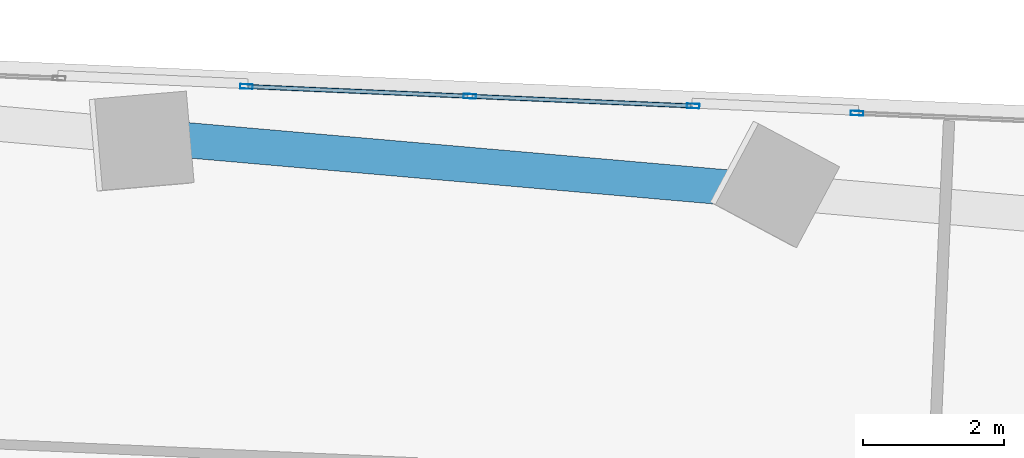
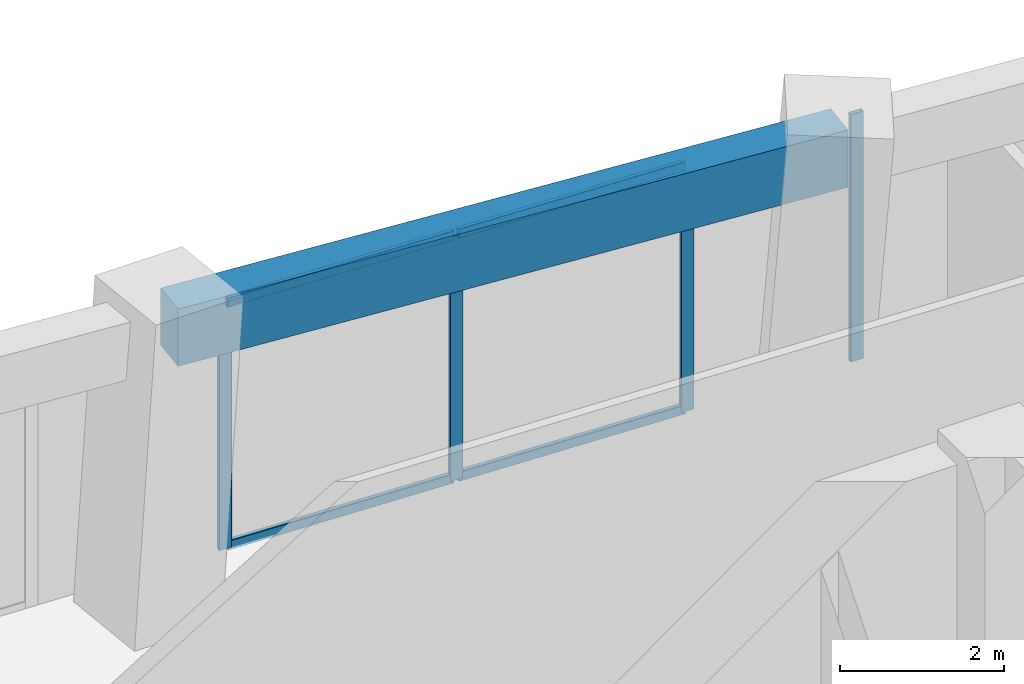
# One storey, part 17 of 26: 8 members, 1 beam, 2 elements without a shape of their own.
"""IFC4 building model written with IfcOpenShell, lengths in metres."""

from ifc_helpers import new_model, si_unit, direction, frame, origin, origin_2d, place, context, subcontext, project, spatial, rectangle, hollow_rectangle, extrude, source, transform, mapped, material, material_profile, profile_set, type_object, element, aggregate, save


model = new_model("IFC4")

# Units and contexts
model_context = context("Model", 3, precision=1e-05, world=origin(), true_north=direction((0.0, 1.0)))
body_context = subcontext(model_context, "Body", "Model", "MODEL_VIEW")
ifc_project = project(units=[si_unit("LENGTHUNIT", "METRE"), si_unit("AREAUNIT", "SQUARE_METRE"), si_unit("VOLUMEUNIT", "CUBIC_METRE"), si_unit("PLANEANGLEUNIT", "RADIAN"), si_unit("MASSUNIT", "GRAM", prefix="KILO")], contexts=[model_context])

# Site, building, storey
site_placement = place(None, origin())
site = spatial("IfcSite", under=ifc_project, at=site_placement, CompositionType="ELEMENT")
building_placement = place(site_placement, origin())
building = spatial("IfcBuilding", under=site, at=building_placement, Name="Torre Montelarca", CompositionType="ELEMENT")
storey_placement = place(building_placement, frame((0.0, 0.0, 42.39990234375)))
storey = spatial("IfcBuildingStorey", under=building, at=storey_placement, Name="L09", CompositionType="ELEMENT", Elevation=42.39990234375)

# Beam
ifc_material_1 = material(Name="Concrete C55/67", Category="concrete")
ifc_material_profile_1 = material_profile(ifc_material_1, rectangle(XDim=0.5, YDim=0.85009765625, at=origin_2d()), Name="RCB500X850", Category="concrete")
ifc_profile_set_1 = profile_set([ifc_material_profile_1], Name="Concrete C55/67")
beam_type = type_object("IfcBeamType", Name="BM-SP-RC850-EXT", PredefinedType="SPANDREL", material=ifc_profile_set_1)
shared_shape_1 = source(origin(), body_context, "Body", "SweptSolid", [
    extrude(rectangle(XDim=0.5, YDim=0.85009765625, at=origin_2d()), origin(), (0.0, 0.0, 1.0), 9.0),
])
beam_placement = place(storey_placement, frame((19.333740234375, 47.3974609375, 4.135009765625), z_axis=(0.996194541889, -0.087157528131, 0.0), x_axis=(0.087157528131, 0.996194541889, 0.0)))
element("IfcBeam", 1, at=beam_placement, inside=storey, type_object=beam_type, Name="L09 Grid Girder X 18.0-27.0 at Y=47.1", PredefinedType="SPANDREL", context=body_context, shape_type="MappedRepresentation", body=[
    mapped(shared_shape_1, transform((0.0, 0.0, 0.0), scale=1.0)),
])

# Curtain wall, member
ifc_material_2 = material(Name="Insulated low-E laminated glass", Category="glass")
curtain_wall_type = type_object("IfcCurtainWallType", Name="CW-SYS-Z1", PredefinedType="USERDEFINED", material=ifc_material_2)
curtain_wall_1_placement = place(storey_placement, origin())
curtain_wall_1 = element("IfcCurtainWall", 2, at=curtain_wall_1_placement, inside=storey, type_object=curtain_wall_type, Name="L09 Curtain Wall Run CW-T3-L09-E08-B1", ObjectType="UNITISED GLAZING", PredefinedType="USERDEFINED")
ifc_material_3 = material(Name="Anodised aluminium AA 6063-T6", Category="aluminium")
ifc_material_profile_2 = material_profile(ifc_material_3, hollow_rectangle(XDim=0.06494140625, YDim=0.179931640625, WallThickness=0.00390625, InnerFilletRadius=0.00390625, OuterFilletRadius=0.008056640625, at=origin_2d()), Name="ALU65X180X4", Category="aluminium")
ifc_profile_set_2 = profile_set([ifc_material_profile_2], Name="Anodised aluminium AA 6063-T6")
member_type_1 = type_object("IfcMemberType", Name="CWM-ALU180", PredefinedType="MULLION", material=ifc_profile_set_2)
shared_shape_2 = source(origin(), body_context, "Body", "SweptSolid", [
    extrude(hollow_rectangle(XDim=0.06494140625, YDim=0.179931640625, WallThickness=0.00390625, InnerFilletRadius=0.00390625, OuterFilletRadius=0.008056640625, at=origin_2d()), origin(), (0.0, 0.0, 1.0), 3.675048828125),
])
member_1_placement = place(storey_placement, frame((29.18603515625, 47.749755859375, 0.0), z_axis=(0.0, 0.0, 1.0), x_axis=(-0.043619974825, -0.999048195933, 0.0)))
member_1 = element("IfcMember", 3, at=member_1_placement, type_object=member_type_1, Name="CW mullion 3", PredefinedType="MULLION", context=body_context, shape_type="MappedRepresentation", body=[
    mapped(shared_shape_2, transform((0.0, 0.0, 0.0), scale=1.0)),
])
aggregate(curtain_wall_1, [member_1])

# Curtain wall, members
curtain_wall_2_placement = place(storey_placement, origin())
curtain_wall_2 = element("IfcCurtainWall", 4, at=curtain_wall_2_placement, inside=storey, type_object=curtain_wall_type, Name="L09 Curtain Wall Run CW-T3-L09-E08-B2", ObjectType="UNITISED GLAZING", PredefinedType="USERDEFINED")
member_2_placement = place(storey_placement, frame((26.86328125, 47.851318359375, 0.0), z_axis=(0.0, 0.0, 1.0), x_axis=(-0.043621510734, -0.999048128871, 0.0)))
member_2 = element("IfcMember", 5, at=member_2_placement, type_object=member_type_1, Name="CW mullion 1", PredefinedType="MULLION", context=body_context, shape_type="MappedRepresentation", body=[
    mapped(shared_shape_2, transform((0.0, 0.0, 0.0), scale=1.0)),
])
member_3_placement = place(storey_placement, frame((23.6962890625, 47.989501953125, 0.0), z_axis=(0.0, 0.0, 1.0), x_axis=(-0.043621510734, -0.999048128871, 0.0)))
member_3 = element("IfcMember", 6, at=member_3_placement, type_object=member_type_1, Name="CW mullion 2", PredefinedType="MULLION", context=body_context, shape_type="MappedRepresentation", body=[
    mapped(shared_shape_2, transform((0.0, 0.0, 0.0), scale=1.0)),
])
member_4_placement = place(storey_placement, frame((20.529052734375, 48.127685546875, 0.0), z_axis=(0.0, 0.0, 1.0), x_axis=(-0.043621510734, -0.999048128871, 0.0)))
member_4 = element("IfcMember", 7, at=member_4_placement, type_object=member_type_1, Name="CW mullion 3", PredefinedType="MULLION", context=body_context, shape_type="MappedRepresentation", body=[
    mapped(shared_shape_2, transform((0.0, 0.0, 0.0), scale=1.0)),
])
ifc_material_profile_3 = material_profile(ifc_material_3, hollow_rectangle(XDim=0.06494140625, YDim=0.139892578125, WallThickness=0.00390625, InnerFilletRadius=0.00390625, OuterFilletRadius=0.008056640625, at=origin_2d()), Name="ALU65X140X4", Category="aluminium")
ifc_profile_set_3 = profile_set([ifc_material_profile_3], Name="Anodised aluminium AA 6063-T6")
member_type_2 = type_object("IfcMemberType", Name="CWT-ALU140", PredefinedType="USERDEFINED", material=ifc_profile_set_3)
shared_shape_3 = source(origin(), body_context, "Body", "SweptSolid", [
    extrude(hollow_rectangle(XDim=0.06494140625, YDim=0.139892578125, WallThickness=0.00390625, InnerFilletRadius=0.00390625, OuterFilletRadius=0.008056640625, at=origin_2d()), origin(), (0.0, 0.0, 1.0), 3.10498046875),
])
member_5_placement = place(storey_placement, frame((26.830810546875, 47.8525390625, 0.03271484375), z_axis=(-0.999047385143, 0.043638540749, 0.0), x_axis=(-0.043638540749, -0.999047385143, 0.0)))
member_5 = element("IfcMember", 8, at=member_5_placement, type_object=member_type_2, Name="CW transom 1.1", ObjectType="TRANSOM", PredefinedType="USERDEFINED", context=body_context, shape_type="MappedRepresentation", body=[
    mapped(shared_shape_3, transform((0.0, 0.0, 0.0), scale=1.0)),
])
member_6_placement = place(storey_placement, frame((26.830810546875, 47.8525390625, 3.642578125), z_axis=(-0.999047385143, 0.043638540749, 0.0), x_axis=(-0.043638540749, -0.999047385143, 0.0)))
member_6 = element("IfcMember", 9, at=member_6_placement, type_object=member_type_2, Name="CW transom 1.2", ObjectType="TRANSOM", PredefinedType="USERDEFINED", context=body_context, shape_type="MappedRepresentation", body=[
    mapped(shared_shape_3, transform((0.0, 0.0, 0.0), scale=1.0)),
])
shared_shape_4 = source(origin(), body_context, "Body", "SweptSolid", [
    extrude(hollow_rectangle(XDim=0.06494140625, YDim=0.139892578125, WallThickness=0.00390625, InnerFilletRadius=0.00390625, OuterFilletRadius=0.008056640625, at=origin_2d()), origin(), (0.0, 0.0, 1.0), 3.105224609375),
])
member_7_placement = place(storey_placement, frame((23.663818359375, 47.990966796875, 0.03271484375), z_axis=(-0.999047534859, 0.043635113075, 0.0), x_axis=(-0.043635113075, -0.999047534859, 0.0)))
member_7 = element("IfcMember", 10, at=member_7_placement, type_object=member_type_2, Name="CW transom 2.1", ObjectType="TRANSOM", PredefinedType="USERDEFINED", context=body_context, shape_type="MappedRepresentation", body=[
    mapped(shared_shape_4, transform((0.0, 0.0, 0.0), scale=1.0)),
])
member_8_placement = place(storey_placement, frame((23.663818359375, 47.990966796875, 3.642578125), z_axis=(-0.999047534859, 0.043635113075, 0.0), x_axis=(-0.043635113075, -0.999047534859, 0.0)))
member_8 = element("IfcMember", 11, at=member_8_placement, type_object=member_type_2, Name="CW transom 2.2", ObjectType="TRANSOM", PredefinedType="USERDEFINED", context=body_context, shape_type="MappedRepresentation", body=[
    mapped(shared_shape_4, transform((0.0, 0.0, 0.0), scale=1.0)),
])
aggregate(curtain_wall_2, [member_2, member_3, member_4, member_5, member_6, member_7, member_8])

save(model, "model.ifc")
